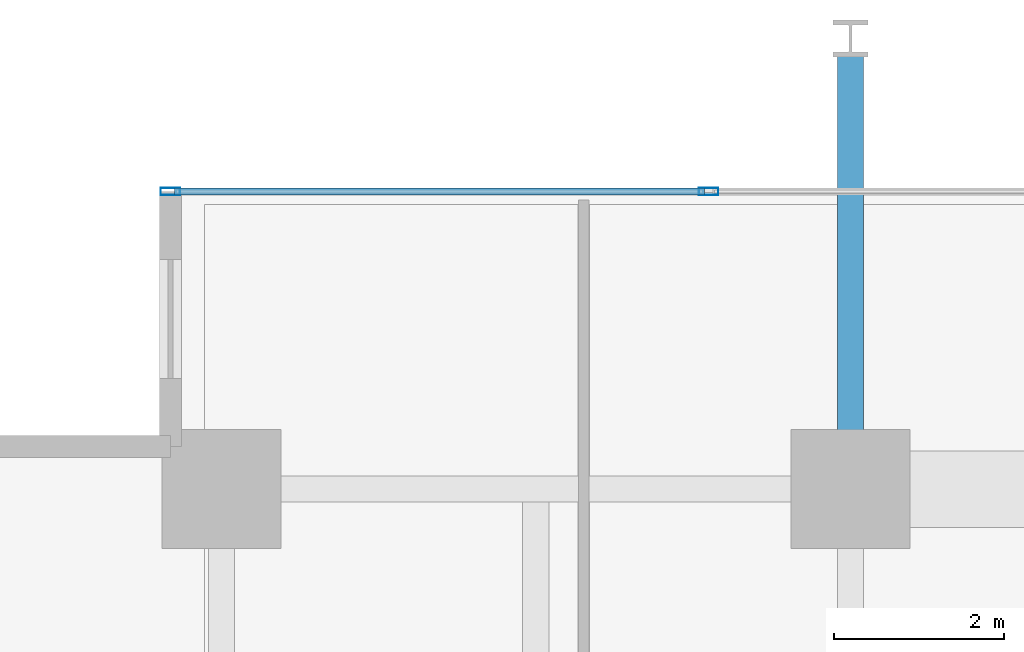
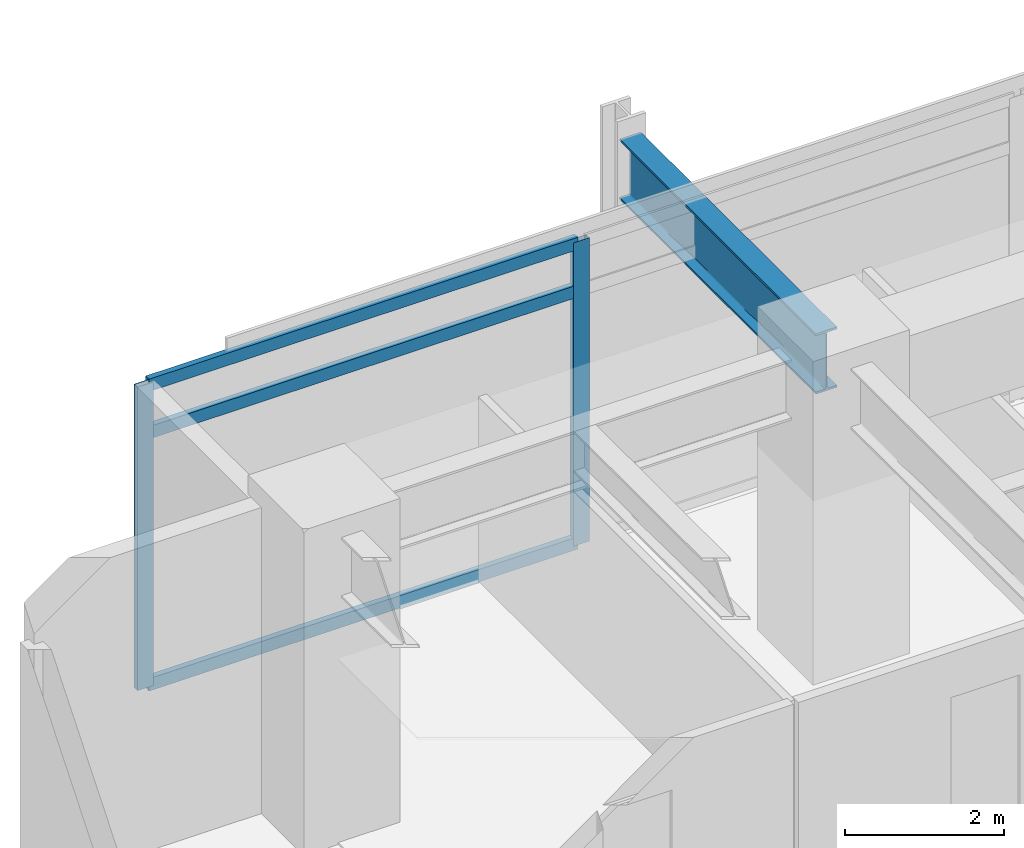
# One storey, part 7 of 19: 5 members, 1 beam, 1 element without a shape of its own.
"""IFC4 building model written with IfcOpenShell, lengths in metres."""

from ifc_helpers import new_model, si_unit, direction, frame, origin, origin_2d, place, context, subcontext, project, spatial, hollow_rectangle, i_section, extrude, material, material_profile, profile_set, type_object, element, aggregate, save


model = new_model("IFC4")

# Units and contexts
model_context = context("Model", 3, precision=1e-05, world=origin(), true_north=direction((0.0, 1.0)))
body_context = subcontext(model_context, "Body", "Model", "MODEL_VIEW")
ifc_project = project(units=[si_unit("LENGTHUNIT", "METRE"), si_unit("AREAUNIT", "SQUARE_METRE"), si_unit("VOLUMEUNIT", "CUBIC_METRE"), si_unit("PLANEANGLEUNIT", "RADIAN"), si_unit("MASSUNIT", "GRAM", prefix="KILO")], contexts=[model_context])

# Site, building, storey
site_placement = place(None, origin())
site = spatial("IfcSite", under=ifc_project, at=site_placement, CompositionType="ELEMENT")
building_placement = place(site_placement, origin())
building = spatial("IfcBuilding", under=site, at=building_placement, Name="Kovane Verandah Tower", CompositionType="ELEMENT")
storey_placement = place(building_placement, frame((0.0, 0.0, 184.39990234375)))
storey = spatial("IfcBuildingStorey", under=building, at=storey_placement, Name="L43", CompositionType="ELEMENT", Elevation=184.39990234375)

# Beam
ifc_material_1 = material(Name="Steel S460", Category="steel")
ifc_material_profile_1 = material_profile(ifc_material_1, i_section(OverallWidth=0.3076171875, OverallDepth=0.926513671875, WebThickness=0.01953125, FlangeThickness=0.031982421875, FilletRadius=0.01904296875, at=origin_2d()), Name="UB914x305x289")
ifc_profile_set_1 = profile_set([ifc_material_profile_1], Name="Steel S460")
beam_type = type_object("IfcBeamType", Name="BM-UB914x289", PredefinedType="BEAM", material=ifc_profile_set_1)
beam_placement = place(storey_placement, frame((29.0, 44.3798828125, 4.23681640625), z_axis=(0.0, 1.0, 0.0), x_axis=(-1.0, 0.0, 0.0)))
element("IfcBeam", 1, at=beam_placement, inside=storey, type_object=beam_type, Name="L43 Primary Tower Girder G-VN1", PredefinedType="BEAM", context=body_context, shape_type="SweptSolid", body=[
    extrude(i_section(OverallWidth=0.3076171875, OverallDepth=0.926513671875, WebThickness=0.01953125, FlangeThickness=0.031982421875, FilletRadius=0.01904296875, at=origin_2d()), origin(), (0.0, 0.0, 1.0), 4.940185546875),
])

# Curtain wall, members
ifc_material_2 = material(Name="Champagne Anodised Aluminium Frame with Low-E Clear Laminated Glass", Category="aluminium")
curtain_wall_type = type_object("IfcCurtainWallType", Name="CW-SYS-04-WAIST", PredefinedType="NOTDEFINED", material=ifc_material_2)
curtain_wall_placement = place(storey_placement, origin())
curtain_wall = element("IfcCurtainWall", 2, at=curtain_wall_placement, inside=storey, type_object=curtain_wall_type, Name="L43 N Unitised Curtain Wall", PredefinedType="NOTDEFINED")
ifc_material_3 = material(Name="Champagne Anodised Aluminium 6063-T6", Category="aluminium")
ifc_material_profile_2 = material_profile(ifc_material_3, hollow_rectangle(XDim=0.0849609375, YDim=0.22998046875, WallThickness=0.00390625, at=origin_2d()), Name="AL85x230x4")
ifc_profile_set_2 = profile_set([ifc_material_profile_2], Name="Champagne Anodised Aluminium 6063-T6")
member_type_1 = type_object("IfcMemberType", Name="CW-MUL-85x230", PredefinedType="MULLION", material=ifc_profile_set_2)
member_1_placement = place(storey_placement, frame((27.333251953125, 47.699951171875, 0.02001953125), z_axis=(0.0, 0.0, 1.0), x_axis=(0.0, 1.0, 0.0)))
member_1 = element("IfcMember", 3, at=member_1_placement, type_object=member_type_1, Name="L43 N Unitised Curtain Wall Mullion 6", PredefinedType="MULLION", context=body_context, shape_type="SweptSolid", body=[
    extrude(hollow_rectangle(XDim=0.0849609375, YDim=0.22998046875, WallThickness=0.00390625, at=origin_2d()), origin(), (0.0, 0.0, 1.0), 4.66015625),
])
member_2_placement = place(storey_placement, frame((21.0, 47.699951171875, 0.02001953125), z_axis=(0.0, 0.0, 1.0), x_axis=(0.0, 1.0, 0.0)))
member_2 = element("IfcMember", 4, at=member_2_placement, type_object=member_type_1, Name="L43 N Unitised Curtain Wall Mullion 7", PredefinedType="MULLION", context=body_context, shape_type="SweptSolid", body=[
    extrude(hollow_rectangle(XDim=0.0849609375, YDim=0.22998046875, WallThickness=0.00390625, at=origin_2d()), origin(), (0.0, 0.0, 1.0), 4.66015625),
])
ifc_material_profile_3 = material_profile(ifc_material_3, hollow_rectangle(XDim=0.0849609375, YDim=0.18994140625, WallThickness=0.00390625, at=origin_2d()), Name="AL85x190x4")
ifc_profile_set_3 = profile_set([ifc_material_profile_3], Name="Champagne Anodised Aluminium 6063-T6")
member_type_2 = type_object("IfcMemberType", Name="CW-TRN-85x190", PredefinedType="USERDEFINED", material=ifc_profile_set_3)
member_3_placement = place(storey_placement, frame((27.283203125, 47.699951171875, 0.050048828125), z_axis=(-1.0, 0.0, 0.0), x_axis=(0.0, -1.0, 0.0)))
member_3 = element("IfcMember", 5, at=member_3_placement, type_object=member_type_2, Name="L43 N Unitised Curtain Wall Transom TB Bay 6", ObjectType="TRANSOM", PredefinedType="USERDEFINED", context=body_context, shape_type="SweptSolid", body=[
    extrude(hollow_rectangle(XDim=0.0849609375, YDim=0.18994140625, WallThickness=0.00390625, at=origin_2d()), origin(), (0.0, 0.0, 1.0), 6.233154296875),
])
member_4_placement = place(storey_placement, frame((27.283203125, 47.699951171875, 3.920166015625), z_axis=(-1.0, 0.0, 0.0), x_axis=(0.0, -1.0, 0.0)))
member_4 = element("IfcMember", 6, at=member_4_placement, type_object=member_type_2, Name="L43 N Unitised Curtain Wall Transom TM Bay 6", ObjectType="TRANSOM", PredefinedType="USERDEFINED", context=body_context, shape_type="SweptSolid", body=[
    extrude(hollow_rectangle(XDim=0.0849609375, YDim=0.18994140625, WallThickness=0.00390625, at=origin_2d()), origin(), (0.0, 0.0, 1.0), 6.233154296875),
])
member_5_placement = place(storey_placement, frame((27.283203125, 47.699951171875, 4.650146484375), z_axis=(-1.0, 0.0, 0.0), x_axis=(0.0, -1.0, 0.0)))
member_5 = element("IfcMember", 7, at=member_5_placement, type_object=member_type_2, Name="L43 N Unitised Curtain Wall Transom TT Bay 6", ObjectType="TRANSOM", PredefinedType="USERDEFINED", context=body_context, shape_type="SweptSolid", body=[
    extrude(hollow_rectangle(XDim=0.0849609375, YDim=0.18994140625, WallThickness=0.00390625, at=origin_2d()), origin(), (0.0, 0.0, 1.0), 6.233154296875),
])
aggregate(curtain_wall, [member_1, member_2, member_3, member_4, member_5])

save(model, "model.ifc")
